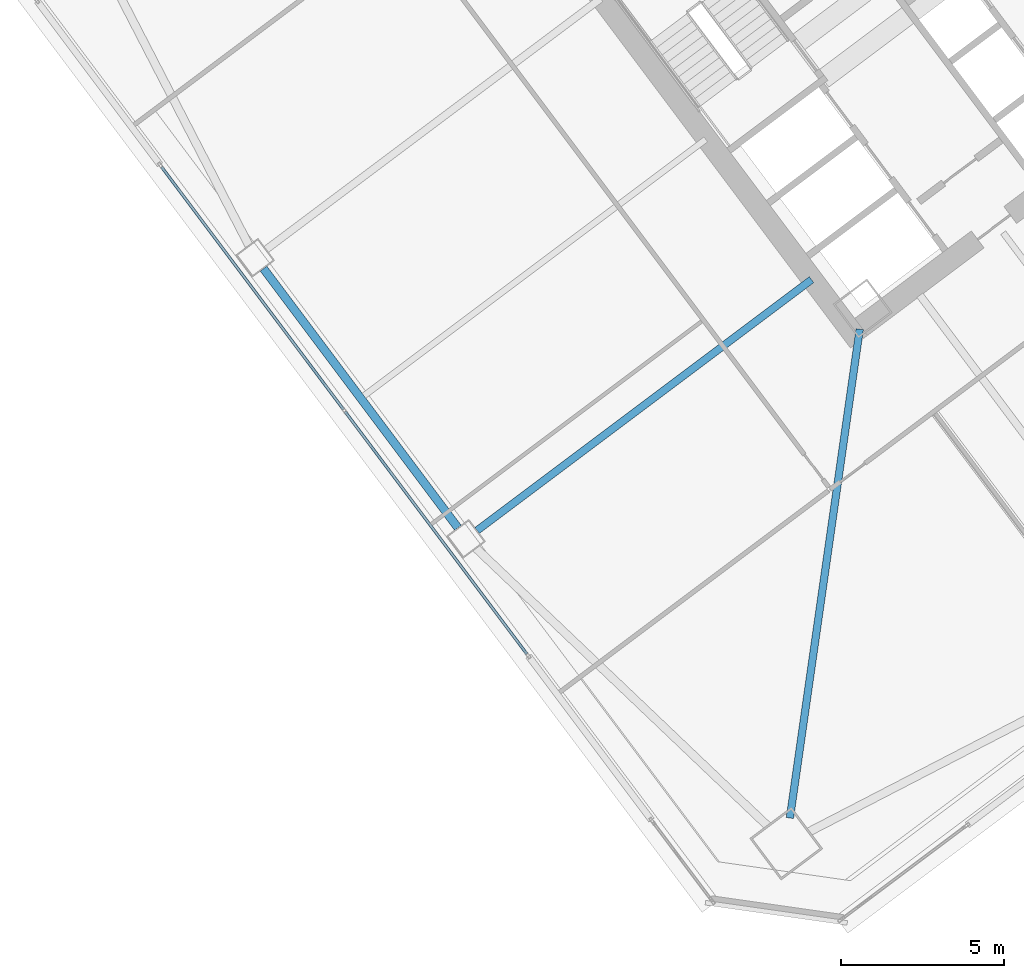
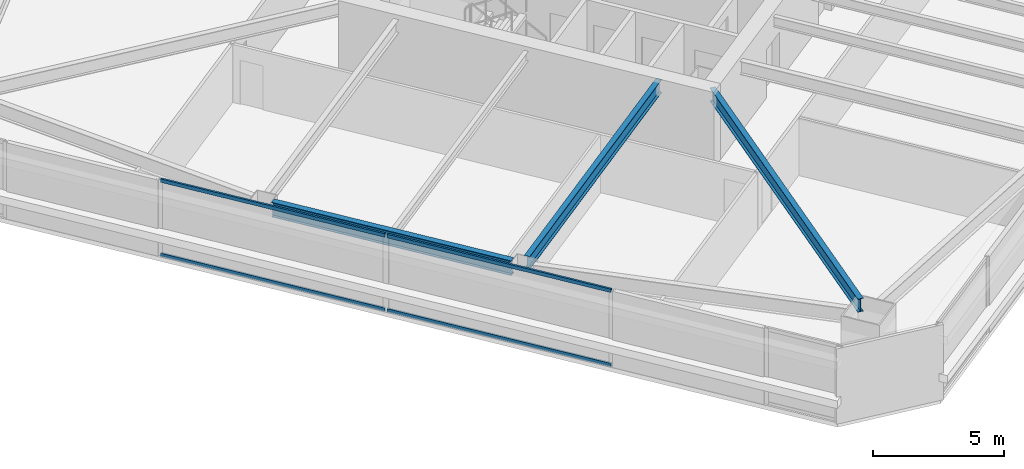
# One storey, part 22 of 51: 4 members, 3 beams, 1 element without a shape of its own.
"""IFC4 building model written with IfcOpenShell, lengths in metres."""

from ifc_helpers import new_model, si_unit, direction, frame, origin, origin_2d, place, context, subcontext, project, spatial, hollow_rectangle, i_section, extrude, material, material_profile, profile_set, type_object, element, aggregate, save


model = new_model("IFC4")

# Units and contexts
model_context = context("Model", 3, precision=1e-05, world=origin(), true_north=direction((0.0, 1.0)))
body_context = subcontext(model_context, "Body", "Model", "MODEL_VIEW")
ifc_project = project(units=[si_unit("LENGTHUNIT", "METRE"), si_unit("AREAUNIT", "SQUARE_METRE"), si_unit("VOLUMEUNIT", "CUBIC_METRE"), si_unit("PLANEANGLEUNIT", "RADIAN"), si_unit("MASSUNIT", "GRAM", prefix="KILO")], contexts=[model_context])

# Site, building, storey
site_placement = place(None, origin())
site = spatial("IfcSite", under=ifc_project, at=site_placement, CompositionType="ELEMENT")
building_placement = place(site_placement, origin())
building = spatial("IfcBuilding", under=site, at=building_placement, Name="Tashvorn Skyway Center", CompositionType="ELEMENT")
storey_placement = place(building_placement, frame((0.0, 0.0, 49.449951171875)))
storey = spatial("IfcBuildingStorey", under=building, at=storey_placement, Name="L12", CompositionType="ELEMENT", Elevation=49.449951171875)

# Beams
ifc_material_1 = material(Name="Steel ASTM A992 Grade 50", Category="steel")
ifc_material_profile_1 = material_profile(ifc_material_1, i_section(OverallWidth=0.22998046875, OverallDepth=0.616943359375, WebThickness=0.01318359375, FlangeThickness=0.022216796875, at=origin_2d()), Name="W24X94")
ifc_profile_set_1 = profile_set([ifc_material_profile_1], Name="Steel ASTM A992 Grade 50")
beam_type_1 = type_object("IfcBeamType", Name="BM-BEAM-W24X94", PredefinedType="BEAM", material=ifc_profile_set_1)
beam_1_placement = place(storey_placement, frame((110.3525390625, 6.467041015625, 3.04150390625), z_axis=(0.141414599991, 0.989950458816, 0.0), x_axis=(-0.989950458816, 0.141414599991, 0.0)))
element("IfcBeam", 1, at=beam_1_placement, inside=storey, type_object=beam_type_1, Name="Tower 2 L12 Primary Floor Girder MC-SW", PredefinedType="BEAM", context=body_context, shape_type="SweptSolid", body=[
    extrude(i_section(OverallWidth=0.22998046875, OverallDepth=0.616943359375, WebThickness=0.01318359375, FlangeThickness=0.022216796875, at=origin_2d()), origin(), (0.0, 0.0, 1.0), 15.177001953125),
])
beam_2_placement = place(storey_placement, frame((100.736083984375, 15.302001953125, 3.04150390625), z_axis=(0.800002279907, 0.599996960112, 0.0), x_axis=(-0.599996960112, 0.800002279907, 0.0)))
element("IfcBeam", 2, at=beam_2_placement, inside=storey, type_object=beam_type_1, Name="Tower 2 L12 Primary Floor Girder FC-W2", PredefinedType="BEAM", context=body_context, shape_type="SweptSolid", body=[
    extrude(i_section(OverallWidth=0.22998046875, OverallDepth=0.616943359375, WebThickness=0.01318359375, FlangeThickness=0.022216796875, at=origin_2d()), origin(), (0.0, 0.0, 1.0), 12.85009765625),
])
ifc_material_profile_2 = material_profile(ifc_material_1, i_section(OverallWidth=0.256103515625, OverallDepth=0.693115234375, WebThickness=0.014404296875, FlangeThickness=0.023681640625, at=origin_2d()), Name="W27X114")
ifc_profile_set_2 = profile_set([ifc_material_profile_2], Name="Steel ASTM A992 Grade 50")
beam_type_2 = type_object("IfcBeamType", Name="BM-SPANDREL-W27X114", PredefinedType="SPANDREL", material=ifc_profile_set_2)
beam_3_placement = place(storey_placement, frame((94.172119140625, 23.35400390625, 3.003662109375), z_axis=(0.599988234018, -0.800008824351, 0.0), x_axis=(0.800008824351, 0.599988234018, 0.0)))
element("IfcBeam", 3, at=beam_3_placement, inside=storey, type_object=beam_type_2, Name="Tower 2 L12 Spandrel Beam 11", PredefinedType="SPANDREL", context=body_context, shape_type="SweptSolid", body=[
    extrude(i_section(OverallWidth=0.256103515625, OverallDepth=0.693115234375, WebThickness=0.014404296875, FlangeThickness=0.023681640625, at=origin_2d()), origin(), (0.0, 0.0, 1.0), 9.9599609375),
])

# Curtain wall, members
ifc_material_2 = material(Name="Thermally broken bronze-anodized aluminium 6063-T6", Category="aluminium")
curtain_wall_type = type_object("IfcCurtainWallType", Name="CW-CW-Z1", PredefinedType="NOTDEFINED", material=ifc_material_2)
curtain_wall_placement = place(storey_placement, origin())
curtain_wall = element("IfcCurtainWall", 4, at=curtain_wall_placement, inside=storey, type_object=curtain_wall_type, Name="Tower 2 L12 West Unitised Curtain Wall Glazing Group 2", PredefinedType="NOTDEFINED")
ifc_material_profile_3 = material_profile(ifc_material_2, hollow_rectangle(XDim=0.0849609375, YDim=0.1650390625, WallThickness=0.0048828125, at=origin_2d()), Name="ALU-TRAN-85x165")
ifc_profile_set_3 = profile_set([ifc_material_profile_3], Name="Thermally broken bronze-anodized aluminium 6063-T6")
member_type = type_object("IfcMemberType", Name="CWT-CW-Z1", PredefinedType="USERDEFINED", material=ifc_profile_set_3)
member_1_placement = place(storey_placement, frame((102.26904296875, 11.508056640625, 0.04248046875), z_axis=(-0.600012583752, 0.799990562031, 0.0), x_axis=(-0.799990562031, -0.600012583752, 0.0)))
member_1 = element("IfcMember", 5, at=member_1_placement, type_object=member_type, Name="CW-Z1 transom 1.1", ObjectType="TRANSOM", PredefinedType="USERDEFINED", context=body_context, shape_type="SweptSolid", body=[
    extrude(hollow_rectangle(XDim=0.0849609375, YDim=0.1650390625, WallThickness=0.0048828125, at=origin_2d()), origin(), (0.0, 0.0, 1.0), 9.3125),
])
member_2_placement = place(storey_placement, frame((102.26904296875, 11.508056640625, 3.507568359375), z_axis=(-0.600012583752, 0.799990562031, 0.0), x_axis=(-0.799990562031, -0.600012583752, 0.0)))
member_2 = element("IfcMember", 6, at=member_2_placement, type_object=member_type, Name="CW-Z1 transom 1.2", ObjectType="TRANSOM", PredefinedType="USERDEFINED", context=body_context, shape_type="SweptSolid", body=[
    extrude(hollow_rectangle(XDim=0.0849609375, YDim=0.1650390625, WallThickness=0.0048828125, at=origin_2d()), origin(), (0.0, 0.0, 1.0), 9.3125),
])
member_3_placement = place(storey_placement, frame((96.630615234375, 19.02587890625, 0.04248046875), z_axis=(-0.6, 0.8, 0.0), x_axis=(-0.8, -0.6, 0.0)))
member_3 = element("IfcMember", 7, at=member_3_placement, type_object=member_type, Name="CW-Z1 transom 2.1", ObjectType="TRANSOM", PredefinedType="USERDEFINED", context=body_context, shape_type="SweptSolid", body=[
    extrude(hollow_rectangle(XDim=0.0849609375, YDim=0.1650390625, WallThickness=0.0048828125, at=origin_2d()), origin(), (0.0, 0.0, 1.0), 9.312744140625),
])
member_4_placement = place(storey_placement, frame((96.630615234375, 19.02587890625, 3.507568359375), z_axis=(-0.6, 0.8, 0.0), x_axis=(-0.8, -0.6, 0.0)))
member_4 = element("IfcMember", 8, at=member_4_placement, type_object=member_type, Name="CW-Z1 transom 2.2", ObjectType="TRANSOM", PredefinedType="USERDEFINED", context=body_context, shape_type="SweptSolid", body=[
    extrude(hollow_rectangle(XDim=0.0849609375, YDim=0.1650390625, WallThickness=0.0048828125, at=origin_2d()), origin(), (0.0, 0.0, 1.0), 9.312744140625),
])
aggregate(curtain_wall, [member_1, member_2, member_3, member_4])

save(model, "model.ifc")
